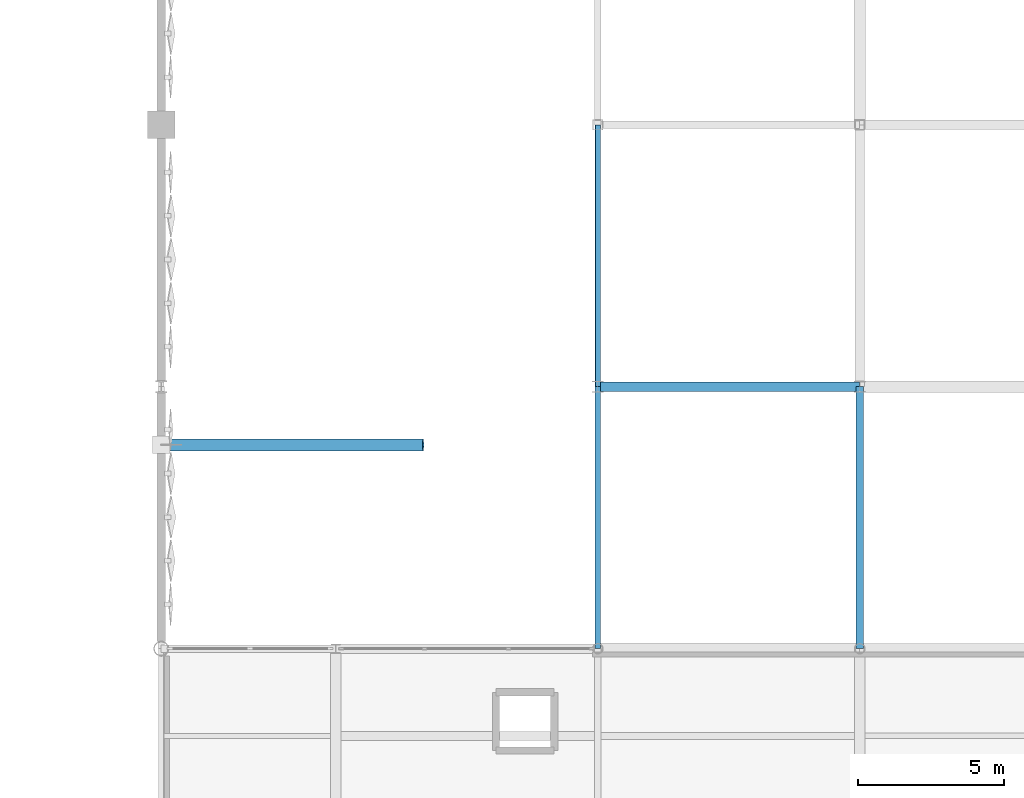
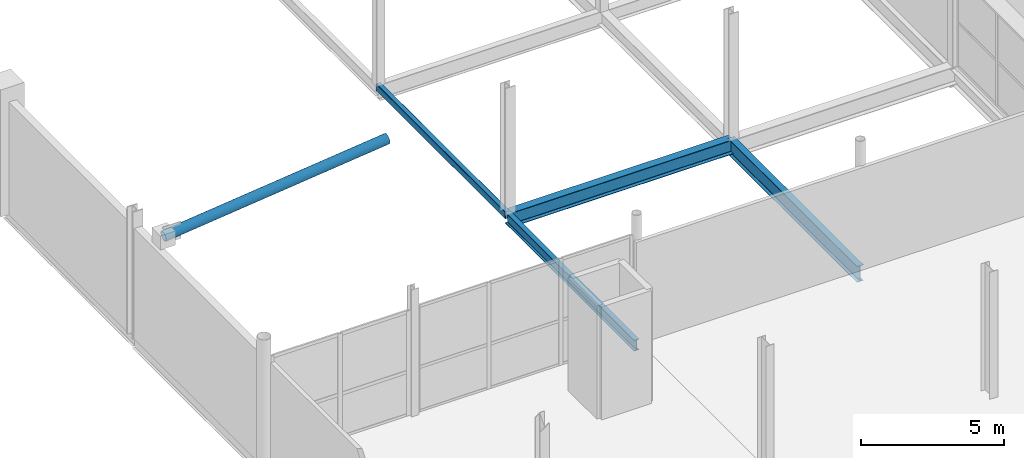
# One storey, part 48 of 119: 4 beams, 1 member.
"""IFC4 building model written with IfcOpenShell, lengths in metres."""

import ifcopenshell
import ifcopenshell.guid

model = None  # the IFC model being written
_history = None  # IfcOwnerHistory: only IFC2X3 demands one
_inside = {}  # id of a spatial element -> (the spatial element, [elements in it])
_under = {}  # id of a project, library or spatial element -> (it, [spatial elements below it])
_declared = {}  # id of a project -> (the project, [libraries it declares])
_typed = {}  # id of a type object -> (the type object, [elements of that type])
_made_of = {}  # id of a material, layer set ... -> (it, [elements and type objects made of it])


def new_model(schema):
    """Start an empty IFC model of exactly this schema.

    Asked for "IFC4X3", IfcOpenShell would pick the latest addendum, in which some entities
    have other attributes; the version numbers below select the first issue.
    IFC2X3 requires an IfcOwnerHistory on every rooted entity: one is made here for all.
    """
    global model, _history
    if schema == "IFC4X3":
        model = ifcopenshell.file(schema_version=(4, 3, 0, 0))
    else:
        model = ifcopenshell.file(schema=schema)
    _inside.clear()
    _under.clear()
    _declared.clear()
    _typed.clear()
    _made_of.clear()
    _history = None
    if model.schema == "IFC2X3":
        org = make("IfcOrganization", Name="unknown")
        user = make(
            "IfcPersonAndOrganization",
            ThePerson=make("IfcPerson", FamilyName="unknown"),
            TheOrganization=org,
        )
        app = make(
            "IfcApplication",
            ApplicationDeveloper=org,
            Version="unknown",
            ApplicationFullName="unknown",
            ApplicationIdentifier="unknown",
        )
        _history = make(
            "IfcOwnerHistory",
            OwningUser=user,
            OwningApplication=app,
            ChangeAction="ADDED",
            CreationDate=0,
        )
    return model


def make(cls, **values):
    """One entity of the class cls with the attributes given. An attribute that is None is left unset."""
    return model.create_entity(
        cls, **{name: value for name, value in values.items() if value is not None}
    )


def rooted(cls, **values):
    """An entity with a GlobalId (a new one), such as an element, a storey or a relation."""
    return make(cls, GlobalId=ifcopenshell.guid.new(), OwnerHistory=_history, **values)


def si_unit(unit_type, name, prefix=None):
    """IfcSIUnit, for example si_unit("LENGTHUNIT", "METRE", prefix="MILLI")."""
    return make("IfcSIUnit", UnitType=unit_type, Prefix=prefix, Name=name)


def assignment(units):
    """IfcUnitAssignment: the units of a project."""
    return None if units is None else make("IfcUnitAssignment", Units=units)


def point(xyz):
    """IfcCartesianPoint."""
    return None if xyz is None else make("IfcCartesianPoint", Coordinates=xyz)


def direction(xyz):
    """IfcDirection."""
    return None if xyz is None else make("IfcDirection", DirectionRatios=xyz)


def frame(location, z_axis=None, x_axis=None):
    """IfcAxis2Placement3D, a coordinate frame: its origin and axes. An axis left out is left unset."""
    return make(
        "IfcAxis2Placement3D",
        Location=point(location),
        Axis=direction(z_axis),
        RefDirection=direction(x_axis),
    )


def frame_2d(location, x_axis=None):
    """IfcAxis2Placement2D, a coordinate frame in the plane: its origin and x axis."""
    return make(
        "IfcAxis2Placement2D", Location=point(location), RefDirection=direction(x_axis)
    )


def origin():
    """The frame at (0, 0, 0) with its axes left unset."""
    return frame((0.0, 0.0, 0.0))


def origin_2d():
    """The frame at (0, 0) in the plane with its x axis left unset."""
    return frame_2d((0.0, 0.0))


def place(relative_to, where):
    """IfcLocalPlacement: puts the frame where relative to a parent placement (None: the world)."""
    return make(
        "IfcLocalPlacement", PlacementRelTo=relative_to, RelativePlacement=where
    )


def context(
    kind, dimensions, precision=None, world=None, true_north=None, identifier=None
):
    """IfcGeometricRepresentationContext, for example the 3D "Model" context."""
    return make(
        "IfcGeometricRepresentationContext",
        ContextIdentifier=identifier,
        ContextType=kind,
        CoordinateSpaceDimension=dimensions,
        Precision=precision,
        WorldCoordinateSystem=world,
        TrueNorth=true_north,
    )


def subcontext(parent, identifier, kind, view, scale=None):
    """IfcGeometricRepresentationSubContext, for example "Body" below "Model"."""
    return make(
        "IfcGeometricRepresentationSubContext",
        ContextIdentifier=identifier,
        ContextType=kind,
        ParentContext=parent,
        TargetScale=scale,
        TargetView=view,
    )


def project(units=None, contexts=None):
    """IfcProject with its units and contexts."""
    return rooted(
        "IfcProject",
        Name="project",
        RepresentationContexts=contexts,
        UnitsInContext=assignment(units),
    )


def spatial(cls, under=None, at=None, **own):
    """A site, building, storey or space (cls), placed at a placement, below another one or the project."""
    s = rooted(cls, ObjectPlacement=at, **own)
    if under is not None:
        _under.setdefault(under.id(), (under, []))[1].append(s)
    return s


def profile(cls, at=None, kind="AREA", **sizes):
    """A parametric profile (cls). Its sizes go by their IFC names, for example OverallWidth=200.0."""
    return make(cls, ProfileType=kind, Position=at, **sizes)


def hollow_rectangle(**sizes):
    """IfcRectangleHollowProfileDef."""
    return profile("IfcRectangleHollowProfileDef", **sizes)


def hollow_circle(**sizes):
    """IfcCircleHollowProfileDef."""
    return profile("IfcCircleHollowProfileDef", **sizes)


def i_section(**sizes):
    """IfcIShapeProfileDef."""
    return profile("IfcIShapeProfileDef", **sizes)


def extrude(swept, where, along, depth):
    """IfcExtrudedAreaSolid: the profile swept, set in the frame where, extruded along a direction by depth."""
    return make(
        "IfcExtrudedAreaSolid",
        SweptArea=swept,
        Position=where,
        ExtrudedDirection=direction(along),
        Depth=depth,
    )


def shape(context_of_items, identifier, shape_type, items):
    """IfcShapeRepresentation: the items that make up one representation, for example the "Body"."""
    return make(
        "IfcShapeRepresentation",
        ContextOfItems=context_of_items,
        RepresentationIdentifier=identifier,
        RepresentationType=shape_type,
        Items=items,
    )


def material(Name=None, Category=None):
    """IfcMaterial."""
    return make("IfcMaterial", Name=Name, Category=Category)


def material_profile(
    of_material, cross_section, Name=None, Category=None, Priority=None
):
    """IfcMaterialProfile: a cross section and its material."""
    return make(
        "IfcMaterialProfile",
        Name=Name,
        Material=of_material,
        Profile=cross_section,
        Priority=Priority,
        Category=Category,
    )


def profile_set(profiles, Name=None, composite=None):
    """IfcMaterialProfileSet."""
    return make(
        "IfcMaterialProfileSet",
        Name=Name,
        MaterialProfiles=profiles,
        CompositeProfile=composite,
    )


def made_of(thing, what):
    """Note that an element or type object is made of a material, layer set ...; save() writes the relation."""
    if what is not None:
        _made_of.setdefault(what.id(), (what, []))[1].append(thing)
    return thing


def type_object(cls, material=None, **own):
    """A type object (cls), such as IfcWallType, which elements share."""
    return made_of(rooted(cls, **own), material)


def element(
    cls,
    number,
    at=None,
    inside=None,
    cuts=None,
    type_object=None,
    material=None,
    context=None,
    identifier="Body",
    shape_type=None,
    held_by="IfcProductDefinitionShape",
    body=None,
    shapes=None,
    **own,
):
    """One element of the class cls, such as IfcWall. Its Tag is "e" and its number.

    at: its placement. inside: the storey or other place that contains it. cuts: it is an
    opening in that element (IfcRelVoidsElement). A single representation is given by context,
    identifier, shape_type and body (its items); several are given by shapes. held_by: the class
    of the entity that holds the representations. save() writes the other relations.
    """
    e = rooted(cls, Tag="e%d" % number, ObjectPlacement=at, **own)
    if body is not None:
        shapes = [shape(context, identifier, shape_type, body)]
    if shapes is not None:
        e.Representation = make(held_by, Representations=shapes)
    if inside is not None:
        _inside.setdefault(inside.id(), (inside, []))[1].append(e)
    if cuts is not None:
        rooted(
            "IfcRelVoidsElement", RelatingBuildingElement=cuts, RelatedOpeningElement=e
        )
    if type_object is not None:
        _typed.setdefault(type_object.id(), (type_object, []))[1].append(e)
    return made_of(e, material)


def aggregate(whole, parts):
    """IfcRelAggregates: a whole, such as a stair, and the parts it consists of."""
    return rooted("IfcRelAggregates", RelatingObject=whole, RelatedObjects=parts)


def save(model, path):
    """Write the relations noted so far, then the file.

    IfcRelAggregates (storeys below a building ...), IfcRelContainedInSpatialStructure (elements
    in a storey), IfcRelDefinesByType, IfcRelAssociatesMaterial and IfcRelDeclares: one each for
    every whole, place, type object, material and project.
    """
    for whole, parts in _under.values():
        aggregate(whole, parts)
    for where, things in _inside.values():
        rooted(
            "IfcRelContainedInSpatialStructure",
            RelatedElements=things,
            RelatingStructure=where,
        )
    for kind, things in _typed.values():
        rooted("IfcRelDefinesByType", RelatedObjects=things, RelatingType=kind)
    for what, things in _made_of.values():
        rooted("IfcRelAssociatesMaterial", RelatedObjects=things, RelatingMaterial=what)
    for by, libraries in _declared.values():
        rooted("IfcRelDeclares", RelatingContext=by, RelatedDefinitions=libraries)
    model.write(path)


model = new_model("IFC4")

# Units and contexts
model_context = context("Model", 3, precision=1e-05, world=origin(), true_north=direction((0.0, 1.0)))
body_context = subcontext(model_context, "Body", "Model", "MODEL_VIEW")
ifc_project = project(units=[si_unit("LENGTHUNIT", "METRE"), si_unit("AREAUNIT", "SQUARE_METRE"), si_unit("VOLUMEUNIT", "CUBIC_METRE"), si_unit("PLANEANGLEUNIT", "RADIAN"), si_unit("MASSUNIT", "GRAM", prefix="KILO")], contexts=[model_context])

# Site, building, storey
site_placement = place(None, origin())
site = spatial("IfcSite", under=ifc_project, at=site_placement, CompositionType="ELEMENT")
building_placement = place(site_placement, origin())
building = spatial("IfcBuilding", under=site, at=building_placement, Name="Qamarlyn Nura Convention Centre", CompositionType="ELEMENT")
storey_placement = place(building_placement, frame((0.0, 0.0, 5.39990234375)))
storey = spatial("IfcBuildingStorey", under=building, at=storey_placement, Name="L01", CompositionType="ELEMENT", Elevation=5.39990234375)

# Beams
ifc_material_1 = material(Name="Steel ASTM A992", Category="steel")
ifc_material_profile_1 = material_profile(ifc_material_1, i_section(OverallWidth=0.323974609375, OverallDepth=0.611083984375, WebThickness=0.0126953125, FlangeThickness=0.01904296875, FilletRadius=0.01611328125, at=origin_2d()), Name="W610X155")
ifc_profile_set_1 = profile_set([ifc_material_profile_1], Name="Steel ASTM A992")
beam_type_1 = type_object("IfcBeamType", Name="BM-GIRD-610", PredefinedType="BEAM", material=ifc_profile_set_1)
beam_1_placement = place(storey_placement, frame((135.0, 54.0, -0.305419921875), z_axis=(1.0, 0.0, 0.0), x_axis=(0.0, 1.0, 0.0)))
element("IfcBeam", 1, at=beam_1_placement, inside=storey, type_object=beam_type_1, Name="L01 girder G 11-12", PredefinedType="BEAM", context=body_context, shape_type="SweptSolid", body=[
    extrude(i_section(OverallWidth=0.323974609375, OverallDepth=0.611083984375, WebThickness=0.0126953125, FlangeThickness=0.01904296875, FilletRadius=0.01611328125, at=origin_2d()), origin(), (0.0, 0.0, 1.0), 9.0),
])
ifc_material_profile_2 = material_profile(ifc_material_1, i_section(OverallWidth=0.25390625, OverallDepth=0.68408203125, WebThickness=0.012451171875, FlangeThickness=0.01904296875, FilletRadius=0.01806640625, at=origin_2d()), Name="W690X140")
ifc_profile_set_2 = profile_set([ifc_material_profile_2], Name="Steel ASTM A992")
beam_type_2 = type_object("IfcBeamType", Name="BM-GIRD-690B", PredefinedType="BEAM", material=ifc_profile_set_2)
beam_2_placement = place(storey_placement, frame((144.0, 45.0, -0.341796875), z_axis=(0.0, 1.0, 0.0), x_axis=(-1.0, 0.0, 0.0)))
element("IfcBeam", 2, at=beam_2_placement, inside=storey, type_object=beam_type_2, Name="L01 girder 12 F-G", PredefinedType="BEAM", context=body_context, shape_type="SweptSolid", body=[
    extrude(i_section(OverallWidth=0.25390625, OverallDepth=0.68408203125, WebThickness=0.012451171875, FlangeThickness=0.01904296875, FilletRadius=0.01806640625, at=origin_2d()), origin(), (0.0, 0.0, 1.0), 9.0),
])
ifc_material_profile_3 = material_profile(ifc_material_1, i_section(OverallWidth=0.193115234375, OverallDepth=0.466064453125, WebThickness=0.011474609375, FlangeThickness=0.01904296875, FilletRadius=0.012939453125, at=origin_2d()), Name="W460X97")
ifc_profile_set_3 = profile_set([ifc_material_profile_3], Name="Steel ASTM A992")
beam_type_3 = type_object("IfcBeamType", Name="BM-SPAN-460", PredefinedType="SPANDREL", material=ifc_profile_set_3)
beam_3_placement = place(storey_placement, frame((135.0, 45.0, -0.23291015625), z_axis=(0.0, 1.0, 0.0), x_axis=(-1.0, 0.0, 0.0)))
element("IfcBeam", 3, at=beam_3_placement, inside=storey, type_object=beam_type_3, Name="L01 girder 11 F-G", PredefinedType="SPANDREL", context=body_context, shape_type="SweptSolid", body=[
    extrude(i_section(OverallWidth=0.193115234375, OverallDepth=0.466064453125, WebThickness=0.011474609375, FlangeThickness=0.01904296875, FilletRadius=0.012939453125, at=origin_2d()), origin(), (0.0, 0.0, 1.0), 9.0),
])
ifc_material_2 = material(Name="Steel ASTM A500 Grade C", Category="steel")
ifc_material_profile_4 = material_profile(ifc_material_2, hollow_rectangle(XDim=0.199951171875, YDim=0.300048828125, WallThickness=0.012451171875, InnerFilletRadius=0.012451171875, OuterFilletRadius=0.02490234375, at=origin_2d()), Name="HSS300X200X12.5")
ifc_profile_set_4 = profile_set([ifc_material_profile_4], Name="Steel ASTM A500 Grade C")
beam_type_4 = type_object("IfcBeamType", Name="BM-SPAN-HSS", PredefinedType="SPANDREL", material=ifc_profile_set_4)
beam_4_placement = place(storey_placement, frame((135.0, 54.0, -0.14990234375), z_axis=(0.0, 1.0, 0.0), x_axis=(-1.0, 0.0, 0.0)))
element("IfcBeam", 4, at=beam_4_placement, inside=storey, type_object=beam_type_4, Name="L01 girder 11 G-H", PredefinedType="SPANDREL", context=body_context, shape_type="SweptSolid", body=[
    extrude(hollow_rectangle(XDim=0.199951171875, YDim=0.300048828125, WallThickness=0.012451171875, InnerFilletRadius=0.012451171875, OuterFilletRadius=0.02490234375, at=origin_2d()), origin(), (0.0, 0.0, 1.0), 9.0),
])

# Member
ifc_material_3 = material(Name="Pearl-white PVDF steel ASTM A500 Grade C", Category="steel")
ifc_material_profile_5 = material_profile(ifc_material_3, hollow_circle(Radius=0.203125, WallThickness=0.01611328125, at=origin_2d()), Name="CHS406.4X16")
ifc_profile_set_5 = profile_set([ifc_material_profile_5], Name="Pearl-white PVDF steel ASTM A500 Grade C")
member_type = type_object("IfcMemberType", Name="STR-TREE-01", PredefinedType="BRACE", material=ifc_profile_set_5)
member_placement = place(storey_placement, frame((120.0, 52.0, 5.400146484375), z_axis=(0.993815490982, 0.0, 0.111043999766), x_axis=(0.0, 1.0, 0.0)))
element("IfcMember", 5, at=member_placement, inside=storey, type_object=member_type, Name="Raked tree strut RTS-E-4", PredefinedType="BRACE", context=body_context, shape_type="SweptSolid", body=[
    extrude(hollow_circle(Radius=0.203125, WallThickness=0.01611328125, at=origin_2d()), origin(), (0.0, 0.0, 1.0), 9.055908203125),
])

save(model, "model.ifc")
